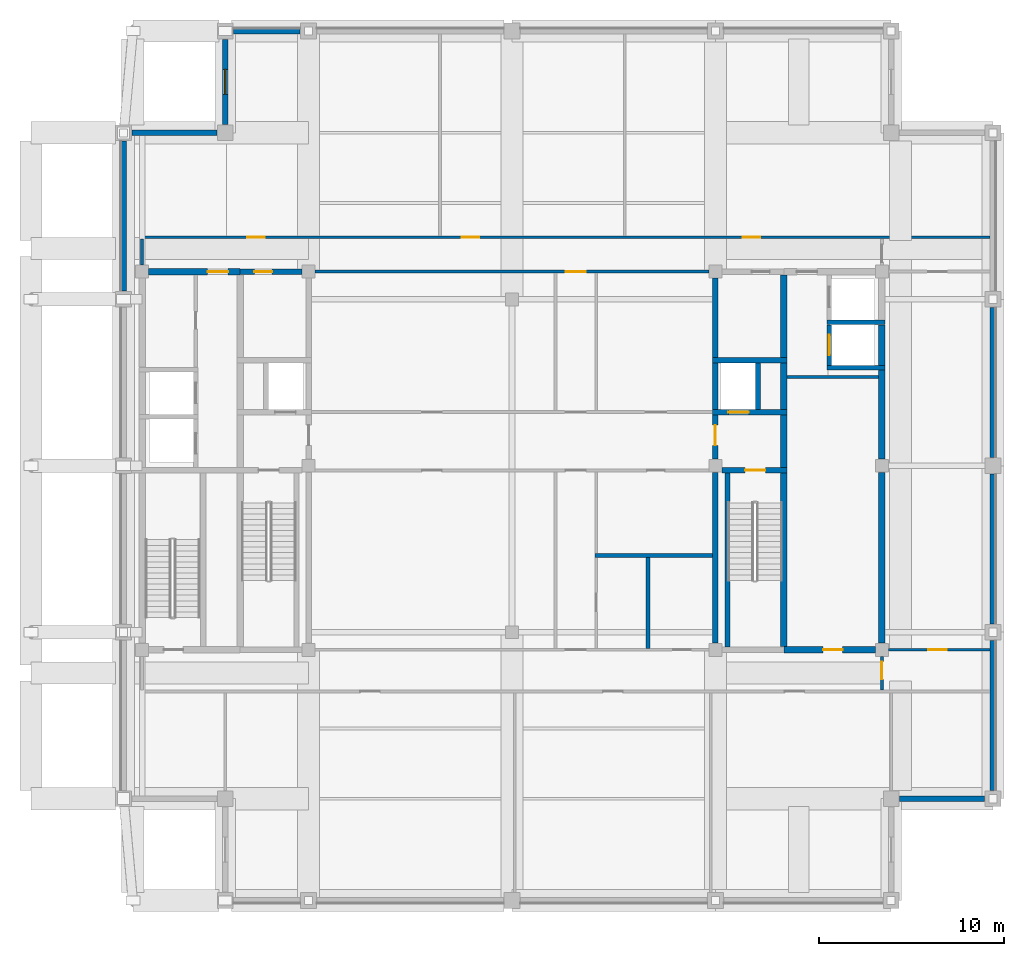
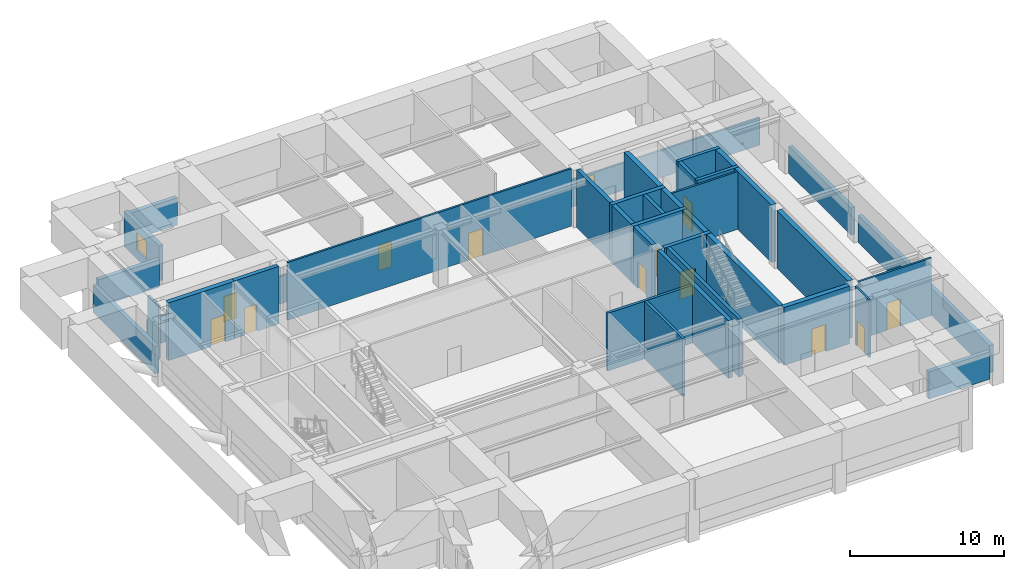
# One storey, part 4 of 11: 38 walls, 13 doors, 1 window, 14 openings.
"""IFC4 building model written with IfcOpenShell, lengths in metres."""

from ifc_helpers import new_model, si_unit, direction, frame, frame_2d, origin, place, context, subcontext, project, spatial, rectangle, extrude, material, layer, layer_set, type_object, element, fill, save


model = new_model("IFC4")

# Units and contexts
model_context = context("Model", 3, precision=1e-05, world=origin(), true_north=direction((0.0, 1.0)))
body_context = subcontext(model_context, "Body", "Model", "MODEL_VIEW")
ifc_project = project(units=[si_unit("LENGTHUNIT", "METRE"), si_unit("AREAUNIT", "SQUARE_METRE"), si_unit("VOLUMEUNIT", "CUBIC_METRE"), si_unit("PLANEANGLEUNIT", "RADIAN"), si_unit("MASSUNIT", "GRAM", prefix="KILO")], contexts=[model_context])

# Site, building, storey
site_placement = place(None, origin())
site = spatial("IfcSite", under=ifc_project, at=site_placement, CompositionType="ELEMENT")
building_placement = place(site_placement, origin())
building = spatial("IfcBuilding", under=site, at=building_placement, Name="Zulmaris Gate Convention Tower", CompositionType="ELEMENT")
storey_placement = place(building_placement, frame((0.0, 0.0, 249.429931640625)))
storey = spatial("IfcBuildingStorey", under=building, at=storey_placement, Name="L66", CompositionType="ELEMENT", Elevation=249.429931640625)

# Walls
ifc_material_1 = material(Name="Concrete C50/60", Category="concrete")
ifc_layer_1 = layer(ifc_material_1, 0.25, Name="Concrete C50/60")
ifc_layer_set_1 = layer_set([ifc_layer_1], Name="Concrete C50/60")
wall_type_1 = type_object("IfcWallType", Name="CORE-250", PredefinedType="SOLIDWALL", material=ifc_layer_set_1)
for number, where, z_axis, x_axis, name in (
    (1, (17.02490234375, 5.300048828125, 0.0), (0.0, 0.0, 1.0), (1.0, 0.0, 0.0), "WL-L66-011"),
    (2, (17.02490234375, 7.75, 0.0), (0.0, 0.0, 1.0), (1.0, 0.0, 0.0), "WL-L66-014"),
):
    element("IfcWall", number, at=place(storey_placement, frame(where, z_axis=z_axis, x_axis=x_axis)), inside=storey, type_object=wall_type_1, Name=name, PredefinedType="SOLIDWALL", context=body_context, shape_type="SweptSolid", body=[
        extrude(rectangle(XDim=3.150146484375, YDim=0.25, at=frame_2d((1.5751953125, 0.0))), origin(), (0.0, 0.0, 1.0), 4.574951171875),
    ])
wall_1_placement = place(storey_placement, frame((11.64990234375, -9.798095703125, 0.0), z_axis=(0.0, 0.0, 1.0), x_axis=(0.0, 1.0, 0.0)))
element("IfcWall", 3, at=wall_1_placement, inside=storey, type_object=wall_type_1, Name="WL-L66-050", PredefinedType="SOLIDWALL", context=body_context, shape_type="SweptSolid", body=[
    extrude(rectangle(XDim=9.39599609375, YDim=0.25, at=frame_2d((4.697998046875, 0.0))), origin(), (0.0, 0.0, 1.0), 4.574951171875),
])
wall_2_placement = place(storey_placement, frame((13.300048828125, 3.052001953125, 0.0), z_axis=(0.0, 0.0, 1.0), x_axis=(0.0, 1.0, 0.0)))
element("IfcWall", 4, at=wall_2_placement, inside=storey, type_object=wall_type_1, Name="WL-L66-051", PredefinedType="SOLIDWALL", context=body_context, shape_type="SweptSolid", body=[
    extrude(rectangle(XDim=2.49609375, YDim=0.25, at=frame_2d((1.248046875, 0.0))), origin(), (0.0, 0.0, 1.0), 4.574951171875),
])

# Wall, opening, door
wall_3_placement = place(storey_placement, frame((17.14990234375, 5.427001953125, 0.0), z_axis=(0.0, 0.0, 1.0), x_axis=(0.0, 1.0, 0.0)))
wall_3 = element("IfcWall", 5, at=wall_3_placement, inside=storey, type_object=wall_type_1, Name="WL-L66-056", PredefinedType="SOLIDWALL", context=body_context, shape_type="SweptSolid", body=[
    extrude(rectangle(XDim=2.196044921875, YDim=0.25, at=frame_2d((1.09814453125, 0.0))), origin(), (0.0, 0.0, 1.0), 4.574951171875),
])
opening_1_placement = place(wall_3_placement, frame((0.548095703125, 0.0, 0.0)))
opening_1 = element("IfcOpeningElement", 6, at=opening_1_placement, cuts=wall_3, Name="Opening D-06", PredefinedType="OPENING", context=body_context, shape_type="SweptSolid", body=[
    extrude(rectangle(XDim=1.10009765625, YDim=2.199951171875, at=frame_2d((0.550048828125, 1.10009765625))), frame((0.0, 0.135009765625, 0.0), z_axis=(0.0, -1.0, 0.0), x_axis=(1.0, 0.0, 0.0)), (0.0, 0.0, 1.0), 0.27001953125),
])
ifc_material_2 = material(Name="Brushed Stainless Steel", Category="steel")
door_type_1 = type_object("IfcDoorType", Name="LD-1100", OperationType="NOTDEFINED", PredefinedType="DOOR", material=ifc_material_2)
door_1_placement = place(opening_1_placement, origin())
door_1 = element("IfcDoor", 7, at=door_1_placement, inside=storey, type_object=door_type_1, Name="L66 Lift Landing Door HP-01 14", OperationType="SLIDING_TO_RIGHT", OverallHeight=2.199951171875, OverallWidth=1.10009765625, PredefinedType="DOOR", context=body_context, shape_type="SweptSolid", body=[
    extrude(rectangle(XDim=1.10009765625, YDim=2.199951171875, at=frame_2d((0.550048828125, 1.10009765625))), frame((0.0, 0.02490234375, 0.0), z_axis=(0.0, -1.0, 0.0), x_axis=(1.0, 0.0, 0.0)), (0.0, 0.0, 1.0), 0.050048828125),
])
fill(opening_1, door_1)

ifc_layer_2 = layer(ifc_material_1, 0.300048828125, Name="Concrete C50/60")
ifc_layer_set_2 = layer_set([ifc_layer_2], Name="Concrete C50/60")
wall_type_2 = type_object("IfcWallType", Name="CORE-300", PredefinedType="SHEAR", material=ifc_layer_set_2)
wall_4_placement = place(storey_placement, frame((11.35400390625, -0.25, 0.0), z_axis=(0.0, 0.0, 1.0), x_axis=(1.0, 0.0, 0.0)))
wall_4 = element("IfcWall", 8, at=wall_4_placement, inside=storey, type_object=wall_type_2, Name="WL-L66-006", PredefinedType="SHEAR", context=body_context, shape_type="SweptSolid", body=[
    extrude(rectangle(XDim=3.52099609375, YDim=0.300048828125, at=frame_2d((1.760498046875, 0.0))), origin(), (0.0, 0.0, 1.0), 4.574951171875),
])
opening_2_placement = place(wall_4_placement, frame((1.24609375, 0.0, 0.0)))
opening_2 = element("IfcOpeningElement", 9, at=opening_2_placement, cuts=wall_4, Name="Opening D-08", PredefinedType="OPENING", context=body_context, shape_type="SweptSolid", body=[
    extrude(rectangle(XDim=1.10009765625, YDim=2.14990234375, at=frame_2d((0.550048828125, 1.074951171875))), frame((0.0, 0.16015625, 0.0), z_axis=(0.0, -1.0, 0.0), x_axis=(1.0, 0.0, 0.0)), (0.0, 0.0, 1.0), 0.320068359375),
])
ifc_material_3 = material(Name="Fire-Rated Steel", Category="steel")
door_type_2 = type_object("IfcDoorType", Name="DR-1100-FD", OperationType="NOTDEFINED", PredefinedType="DOOR", material=ifc_material_3)
door_2_placement = place(opening_2_placement, origin())
door_2 = element("IfcDoor", 10, at=door_2_placement, inside=storey, type_object=door_type_2, Name="L66 Exit Stair ST-2 Door 04", OperationType="SINGLE_SWING_LEFT", OverallHeight=2.14990234375, OverallWidth=1.10009765625, PredefinedType="DOOR", context=body_context, shape_type="SweptSolid", body=[
    extrude(rectangle(XDim=1.10009765625, YDim=2.14990234375, at=frame_2d((0.550048828125, 1.074951171875))), frame((0.0, 0.02490234375, 0.0), z_axis=(0.0, -1.0, 0.0), x_axis=(1.0, 0.0, 0.0)), (0.0, 0.0, 1.0), 0.050048828125),
])
fill(opening_2, door_2)

wall_5_placement = place(storey_placement, frame((10.85009765625, 2.89990234375, 0.0), z_axis=(0.0, 0.0, 1.0), x_axis=(1.0, 0.0, 0.0)))
wall_5 = element("IfcWall", 11, at=wall_5_placement, inside=storey, type_object=wall_type_2, Name="WL-L66-009", PredefinedType="SHEAR", context=body_context, shape_type="SweptSolid", body=[
    extrude(rectangle(XDim=4.02490234375, YDim=0.300048828125, at=frame_2d((2.012451171875, 0.0))), origin(), (0.0, 0.0, 1.0), 4.574951171875),
])
opening_3_placement = place(wall_5_placement, frame((0.85009765625, 0.0, 0.0)))
opening_3 = element("IfcOpeningElement", 12, at=opening_3_placement, cuts=wall_5, Name="Opening D-06", PredefinedType="OPENING", context=body_context, shape_type="SweptSolid", body=[
    extrude(rectangle(XDim=1.10009765625, YDim=2.199951171875, at=frame_2d((0.550048828125, 1.10009765625))), frame((0.0, 0.16015625, 0.0), z_axis=(0.0, -1.0, 0.0), x_axis=(1.0, 0.0, 0.0)), (0.0, 0.0, 1.0), 0.320068359375),
])
door_3_placement = place(opening_3_placement, origin())
door_3 = element("IfcDoor", 13, at=door_3_placement, inside=storey, type_object=door_type_1, Name="L66 Lift Landing Door LF-02 06", OperationType="SLIDING_TO_RIGHT", OverallHeight=2.199951171875, OverallWidth=1.10009765625, PredefinedType="DOOR", context=body_context, shape_type="SweptSolid", body=[
    extrude(rectangle(XDim=1.10009765625, YDim=2.199951171875, at=frame_2d((0.550048828125, 1.10009765625))), frame((0.0, 0.02490234375, 0.0), z_axis=(0.0, -1.0, 0.0), x_axis=(1.0, 0.0, 0.0)), (0.0, 0.0, 1.0), 0.050048828125),
])
fill(opening_3, door_3)

# Wall
wall_6_placement = place(storey_placement, frame((10.85009765625, 5.699951171875, 0.0), z_axis=(0.0, 0.0, 1.0), x_axis=(1.0, 0.0, 0.0)))
element("IfcWall", 14, at=wall_6_placement, inside=storey, type_object=wall_type_2, Name="WL-L66-013", PredefinedType="SHEAR", context=body_context, shape_type="SweptSolid", body=[
    extrude(rectangle(XDim=4.02490234375, YDim=0.300048828125, at=frame_2d((2.012451171875, 0.0))), origin(), (0.0, 0.0, 1.0), 4.574951171875),
])

# Wall, opening, door
wall_7_placement = place(storey_placement, frame((-14.699951171875, 10.5, 0.0), z_axis=(0.0, 0.0, 1.0), x_axis=(1.0, 0.0, 0.0)))
wall_7 = element("IfcWall", 15, at=wall_7_placement, inside=storey, type_object=wall_type_2, Name="WL-L66-016", PredefinedType="SHEAR", context=body_context, shape_type="SweptSolid", body=[
    extrude(rectangle(XDim=3.345947265625, YDim=0.300048828125, at=frame_2d((1.6728515625, 0.0))), origin(), (0.0, 0.0, 1.0), 4.574951171875),
])
opening_4_placement = place(wall_7_placement, frame((0.77490234375, 0.0, 0.0)))
opening_4 = element("IfcOpeningElement", 16, at=opening_4_placement, cuts=wall_7, Name="Opening D-11", PredefinedType="OPENING", context=body_context, shape_type="SweptSolid", body=[
    extrude(rectangle(XDim=0.949951171875, YDim=2.14990234375, at=frame_2d((0.47509765625, 1.074951171875))), frame((0.0, 0.16015625, 0.0), z_axis=(0.0, -1.0, 0.0), x_axis=(1.0, 0.0, 0.0)), (0.0, 0.0, 1.0), 0.320068359375),
])
ifc_material_4 = material(Name="Fire-Rated Timber", Category="wood")
door_type_3 = type_object("IfcDoorType", Name="DR-950-FD", OperationType="NOTDEFINED", PredefinedType="DOOR", material=ifc_material_4)
door_4_placement = place(opening_4_placement, origin())
door_4 = element("IfcDoor", 17, at=door_4_placement, inside=storey, type_object=door_type_3, Name="L66 Core Pantry Door 07", OperationType="SINGLE_SWING_LEFT", OverallHeight=2.14990234375, OverallWidth=0.949951171875, PredefinedType="DOOR", context=body_context, shape_type="SweptSolid", body=[
    extrude(rectangle(XDim=0.949951171875, YDim=2.14990234375, at=frame_2d((0.47509765625, 1.074951171875))), frame((0.0, 0.02490234375, 0.0), z_axis=(0.0, -1.0, 0.0), x_axis=(1.0, 0.0, 0.0)), (0.0, 0.0, 1.0), 0.050048828125),
])
fill(opening_4, door_4)

# Wall
wall_8_placement = place(storey_placement, frame((11.0, -9.595947265625, 0.0), z_axis=(0.0, 0.0, 1.0), x_axis=(0.0, 1.0, 0.0)))
element("IfcWall", 18, at=wall_8_placement, inside=storey, type_object=wall_type_2, Name="WL-L66-046", PredefinedType="SHEAR", context=body_context, shape_type="SweptSolid", body=[
    extrude(rectangle(XDim=9.241943359375, YDim=0.300048828125, at=frame_2d((4.62109375, 0.0))), origin(), (0.0, 0.0, 1.0), 4.574951171875),
])

# Wall, opening, door
wall_9_placement = place(storey_placement, frame((11.0, 0.35400390625, 0.0), z_axis=(0.0, 0.0, 1.0), x_axis=(0.0, 1.0, 0.0)))
wall_9 = element("IfcWall", 19, at=wall_9_placement, inside=storey, type_object=wall_type_2, Name="WL-L66-047", PredefinedType="SHEAR", context=body_context, shape_type="SweptSolid", body=[
    extrude(rectangle(XDim=2.39404296875, YDim=0.300048828125, at=frame_2d((1.197021484375, 0.0))), origin(), (0.0, 0.0, 1.0), 4.574951171875),
])
opening_5_placement = place(wall_9_placement, frame((0.74609375, 0.0, 0.0)))
opening_5 = element("IfcOpeningElement", 20, at=opening_5_placement, cuts=wall_9, Name="Opening D-08", PredefinedType="OPENING", context=body_context, shape_type="SweptSolid", body=[
    extrude(rectangle(XDim=1.10009765625, YDim=2.14990234375, at=frame_2d((0.550048828125, 1.074951171875))), frame((0.0, 0.16015625, 0.0), z_axis=(0.0, -1.0, 0.0), x_axis=(1.0, 0.0, 0.0)), (0.0, 0.0, 1.0), 0.320068359375),
])
door_5_placement = place(opening_5_placement, origin())
door_5 = element("IfcDoor", 21, at=door_5_placement, inside=storey, type_object=door_type_2, Name="L66 East Firefighting Lobby Door 05", OperationType="SINGLE_SWING_RIGHT", OverallHeight=2.14990234375, OverallWidth=1.10009765625, PredefinedType="DOOR", context=body_context, shape_type="SweptSolid", body=[
    extrude(rectangle(XDim=1.10009765625, YDim=2.14990234375, at=frame_2d((0.550048828125, 1.074951171875))), frame((0.0, 0.02490234375, 0.0), z_axis=(0.0, -1.0, 0.0), x_axis=(1.0, 0.0, 0.0)), (0.0, 0.0, 1.0), 0.050048828125),
])
fill(opening_5, door_5)

# Walls
wall_10_placement = place(storey_placement, frame((11.0, 3.052001953125, 0.0), z_axis=(0.0, 0.0, 1.0), x_axis=(0.0, 1.0, 0.0)))
element("IfcWall", 22, at=wall_10_placement, inside=storey, type_object=wall_type_2, Name="WL-L66-048", PredefinedType="SHEAR", context=body_context, shape_type="SweptSolid", body=[
    extrude(rectangle(XDim=2.49609375, YDim=0.300048828125, at=frame_2d((1.248046875, 0.0))), origin(), (0.0, 0.0, 1.0), 4.574951171875),
])
wall_11_placement = place(storey_placement, frame((11.0, 5.85205078125, 0.0), z_axis=(0.0, 0.0, 1.0), x_axis=(0.0, 1.0, 0.0)))
element("IfcWall", 23, at=wall_11_placement, inside=storey, type_object=wall_type_2, Name="WL-L66-049", PredefinedType="SHEAR", context=body_context, shape_type="SweptSolid", body=[
    extrude(rectangle(XDim=4.2939453125, YDim=0.300048828125, at=frame_2d((2.14697265625, 0.0))), origin(), (0.0, 0.0, 1.0), 4.574951171875),
])

# Wall, opening, door
ifc_material_5 = material(Name="Concrete C55/67", Category="concrete")
ifc_layer_3 = layer(ifc_material_5, 0.35009765625, Name="Concrete C55/67")
ifc_layer_set_3 = layer_set([ifc_layer_3], Name="Concrete C55/67")
wall_type_3 = type_object("IfcWallType", Name="CORE-350", PredefinedType="SHEAR", material=ifc_layer_set_3)
wall_12_placement = place(storey_placement, frame((14.699951171875, -9.949951171875, 0.0), z_axis=(0.0, 0.0, 1.0), x_axis=(1.0, 0.0, 0.0)))
wall_12 = element("IfcWall", 24, at=wall_12_placement, inside=storey, type_object=wall_type_3, Name="WL-L66-004", PredefinedType="SHEAR", context=body_context, shape_type="SweptSolid", body=[
    extrude(rectangle(XDim=4.946044921875, YDim=0.35009765625, at=frame_2d((2.47314453125, 0.0))), origin(), (0.0, 0.0, 1.0), 4.574951171875),
])
opening_6_placement = place(wall_12_placement, frame((2.125, 0.0, 0.0)))
opening_6 = element("IfcOpeningElement", 25, at=opening_6_placement, cuts=wall_12, Name="Opening D-09", PredefinedType="OPENING", context=body_context, shape_type="SweptSolid", body=[
    extrude(rectangle(XDim=1.050048828125, YDim=2.14990234375, at=frame_2d((0.52490234375, 1.074951171875))), frame((0.0, 0.18505859375, 0.0), z_axis=(0.0, -1.0, 0.0), x_axis=(1.0, 0.0, 0.0)), (0.0, 0.0, 1.0), 0.3701171875),
])
door_type_4 = type_object("IfcDoorType", Name="DR-1050-FD", OperationType="NOTDEFINED", PredefinedType="DOOR", material=ifc_material_3)
door_6_placement = place(opening_6_placement, origin())
door_6 = element("IfcDoor", 26, at=door_6_placement, inside=storey, type_object=door_type_4, Name="L66 Housekeeping Hall Door 17", OperationType="SINGLE_SWING_LEFT", OverallHeight=2.14990234375, OverallWidth=1.050048828125, PredefinedType="DOOR", context=body_context, shape_type="SweptSolid", body=[
    extrude(rectangle(XDim=1.050048828125, YDim=2.14990234375, at=frame_2d((0.52490234375, 1.074951171875))), frame((0.0, 0.02490234375, 0.0), z_axis=(0.0, -1.0, 0.0), x_axis=(1.0, 0.0, 0.0)), (0.0, 0.0, 1.0), 0.050048828125),
])
fill(opening_6, door_6)

wall_13_placement = place(storey_placement, frame((-19.64599609375, 10.5, 0.0), z_axis=(0.0, 0.0, 1.0), x_axis=(1.0, 0.0, 0.0)))
wall_13 = element("IfcWall", 27, at=wall_13_placement, inside=storey, type_object=wall_type_3, Name="WL-L66-015", PredefinedType="SHEAR", context=body_context, shape_type="SweptSolid", body=[
    extrude(rectangle(XDim=4.946044921875, YDim=0.35009765625, at=frame_2d((2.47314453125, 0.0))), origin(), (0.0, 0.0, 1.0), 4.574951171875),
])
opening_7_placement = place(wall_13_placement, frame((3.196044921875, 0.0, 0.0)))
opening_7 = element("IfcOpeningElement", 28, at=opening_7_placement, cuts=wall_13, Name="Opening D-08", PredefinedType="OPENING", context=body_context, shape_type="SweptSolid", body=[
    extrude(rectangle(XDim=1.10009765625, YDim=2.14990234375, at=frame_2d((0.550048828125, 1.074951171875))), frame((0.0, 0.18505859375, 0.0), z_axis=(0.0, -1.0, 0.0), x_axis=(1.0, 0.0, 0.0)), (0.0, 0.0, 1.0), 0.3701171875),
])
door_7_placement = place(opening_7_placement, origin())
door_7 = element("IfcDoor", 29, at=door_7_placement, inside=storey, type_object=door_type_2, Name="L66 High-Rise West Lift Lobby Door 12", OperationType="SINGLE_SWING_RIGHT", OverallHeight=2.14990234375, OverallWidth=1.10009765625, PredefinedType="DOOR", context=body_context, shape_type="SweptSolid", body=[
    extrude(rectangle(XDim=1.10009765625, YDim=2.14990234375, at=frame_2d((0.550048828125, 1.074951171875))), frame((0.0, 0.02490234375, 0.0), z_axis=(0.0, -1.0, 0.0), x_axis=(1.0, 0.0, 0.0)), (0.0, 0.0, 1.0), 0.050048828125),
])
fill(opening_7, door_7)

# Walls
wall_14_placement = place(storey_placement, frame((14.699951171875, -9.77294921875, 0.0), z_axis=(0.0, 0.0, 1.0), x_axis=(0.0, 1.0, 0.0)))
element("IfcWall", 30, at=wall_14_placement, inside=storey, type_object=wall_type_3, Name="WL-L66-052", PredefinedType="SHEAR", context=body_context, shape_type="SweptSolid", body=[
    extrude(rectangle(XDim=9.370849609375, YDim=0.35009765625, at=frame_2d((4.685546875, 0.0))), origin(), (0.0, 0.0, 1.0), 4.574951171875),
])
wall_15_placement = place(storey_placement, frame((14.699951171875, -0.097900390625, 0.0), z_axis=(0.0, 0.0, 1.0), x_axis=(0.0, 1.0, 0.0)))
element("IfcWall", 31, at=wall_15_placement, inside=storey, type_object=wall_type_3, Name="WL-L66-053", PredefinedType="SHEAR", context=body_context, shape_type="SweptSolid", body=[
    extrude(rectangle(XDim=2.845947265625, YDim=0.35009765625, at=frame_2d((1.4228515625, 0.0))), origin(), (0.0, 0.0, 1.0), 4.574951171875),
])
wall_16_placement = place(storey_placement, frame((14.699951171875, 3.052001953125, 0.0), z_axis=(0.0, 0.0, 1.0), x_axis=(0.0, 1.0, 0.0)))
element("IfcWall", 32, at=wall_16_placement, inside=storey, type_object=wall_type_3, Name="WL-L66-054", PredefinedType="SHEAR", context=body_context, shape_type="SweptSolid", body=[
    extrude(rectangle(XDim=2.49609375, YDim=0.35009765625, at=frame_2d((1.248046875, 0.0))), origin(), (0.0, 0.0, 1.0), 4.574951171875),
])
wall_17_placement = place(storey_placement, frame((14.699951171875, 5.85205078125, 0.0), z_axis=(0.0, 0.0, 1.0), x_axis=(0.0, 1.0, 0.0)))
element("IfcWall", 33, at=wall_17_placement, inside=storey, type_object=wall_type_3, Name="WL-L66-055", PredefinedType="SHEAR", context=body_context, shape_type="SweptSolid", body=[
    extrude(rectangle(XDim=4.470947265625, YDim=0.35009765625, at=frame_2d((2.2353515625, 0.0))), origin(), (0.0, 0.0, 1.0), 4.574951171875),
])
wall_18_placement = place(storey_placement, frame((20.0, -9.595947265625, 0.0), z_axis=(0.0, 0.0, 1.0), x_axis=(0.0, 1.0, 0.0)))
element("IfcWall", 34, at=wall_18_placement, inside=storey, type_object=wall_type_3, Name="WL-L66-058", PredefinedType="SHEAR", context=body_context, shape_type="SweptSolid", body=[
    extrude(rectangle(XDim=9.241943359375, YDim=0.35009765625, at=frame_2d((4.62109375, 0.0))), origin(), (0.0, 0.0, 1.0), 4.574951171875),
])
wall_19_placement = place(storey_placement, frame((20.0, 0.35400390625, 0.0), z_axis=(0.0, 0.0, 1.0), x_axis=(0.0, 1.0, 0.0)))
element("IfcWall", 35, at=wall_19_placement, inside=storey, type_object=wall_type_3, Name="WL-L66-058S1", PredefinedType="SHEAR", context=body_context, shape_type="SweptSolid", body=[
    extrude(rectangle(XDim=4.819091796875, YDim=0.35009765625, at=frame_2d((2.40966796875, 0.0))), origin(), (0.0, 0.0, 1.0), 4.574951171875),
])
wall_20_placement = place(storey_placement, frame((20.0, 5.427001953125, 0.0), z_axis=(0.0, 0.0, 1.0), x_axis=(0.0, 1.0, 0.0)))
element("IfcWall", 36, at=wall_20_placement, inside=storey, type_object=wall_type_3, Name="WL-L66-059", PredefinedType="SHEAR", context=body_context, shape_type="SweptSolid", body=[
    extrude(rectangle(XDim=2.196044921875, YDim=0.35009765625, at=frame_2d((1.09814453125, 0.0))), origin(), (0.0, 0.0, 1.0), 4.574951171875),
])

# Wall, opening, door
ifc_material_6 = material(Name="Gypsum Metal Stud Partition")
ifc_layer_4 = layer(ifc_material_6, 0.14990234375, Name="Gypsum Metal Stud Partition")
ifc_layer_set_4 = layer_set([ifc_layer_4], Name="Gypsum Metal Stud Partition")
wall_type_4 = type_object("IfcWallType", Name="PART-150", PredefinedType="PARTITIONING", material=ifc_layer_set_4)
wall_21_placement = place(storey_placement, frame((20.35595703125, -9.949951171875, 0.0), z_axis=(0.0, 0.0, 1.0), x_axis=(1.0, 0.0, 0.0)))
wall_21 = element("IfcWall", 37, at=wall_21_placement, inside=storey, type_object=wall_type_4, Name="WL-L66-021", PredefinedType="PARTITIONING", context=body_context, shape_type="SweptSolid", body=[
    extrude(rectangle(XDim=5.47900390625, YDim=0.14990234375, at=frame_2d((2.739501953125, 0.0))), origin(), (0.0, 0.0, 1.0), 4.574951171875),
])
opening_8_placement = place(wall_21_placement, frame((2.14404296875, 0.0, 0.0)))
opening_8 = element("IfcOpeningElement", 38, at=opening_8_placement, cuts=wall_21, Name="Opening D-10", PredefinedType="OPENING", context=body_context, shape_type="SweptSolid", body=[
    extrude(rectangle(XDim=1.0, YDim=2.14990234375, at=frame_2d((0.5, 1.074951171875))), frame((0.0, 0.0849609375, 0.0), z_axis=(0.0, -1.0, 0.0), x_axis=(1.0, 0.0, 0.0)), (0.0, 0.0, 1.0), 0.169921875),
])
door_type_5 = type_object("IfcDoorType", Name="DR-1000-FD", OperationType="NOTDEFINED", PredefinedType="DOOR", material=ifc_material_4)
door_8_placement = place(opening_8_placement, origin())
door_8 = element("IfcDoor", 39, at=door_8_placement, inside=storey, type_object=door_type_5, Name="L66 East Workplace South Door 37", OperationType="SINGLE_SWING_LEFT", OverallHeight=2.14990234375, OverallWidth=1.0, PredefinedType="DOOR", context=body_context, shape_type="SweptSolid", body=[
    extrude(rectangle(XDim=1.0, YDim=2.14990234375, at=frame_2d((0.5, 1.074951171875))), frame((0.0, 0.02490234375, 0.0), z_axis=(0.0, -1.0, 0.0), x_axis=(1.0, 0.0, 0.0)), (0.0, 0.0, 1.0), 0.050048828125),
])
fill(opening_8, door_8)

# Wall
wall_22_placement = place(storey_placement, frame((14.8779296875, 4.800048828125, 0.0), z_axis=(0.0, 0.0, 1.0), x_axis=(1.0, 0.0, 0.0)))
element("IfcWall", 40, at=wall_22_placement, inside=storey, type_object=wall_type_4, Name="WL-L66-025", PredefinedType="PARTITIONING", context=body_context, shape_type="SweptSolid", body=[
    extrude(rectangle(XDim=4.944091796875, YDim=0.14990234375, at=frame_2d((2.47216796875, 0.0))), origin(), (0.0, 0.0, 1.0), 4.574951171875),
])

# Wall, opening, door
wall_23_placement = place(storey_placement, frame((-10.64404296875, 10.5, 0.0), z_axis=(0.0, 0.0, 1.0), x_axis=(1.0, 0.0, 0.0)))
wall_23 = element("IfcWall", 41, at=wall_23_placement, inside=storey, type_object=wall_type_4, Name="WL-L66-026", PredefinedType="PARTITIONING", context=body_context, shape_type="SweptSolid", body=[
    extrude(rectangle(XDim=21.2880859375, YDim=0.14990234375, at=frame_2d((10.64404296875, 0.0))), origin(), (0.0, 0.0, 1.0), 4.574951171875),
])
opening_9_placement = place(wall_23_placement, frame((13.5439453125, 0.0, 0.0)))
opening_9 = element("IfcOpeningElement", 42, at=opening_9_placement, cuts=wall_23, Name="Opening D-08", PredefinedType="OPENING", context=body_context, shape_type="SweptSolid", body=[
    extrude(rectangle(XDim=1.10009765625, YDim=2.14990234375, at=frame_2d((0.550048828125, 1.074951171875))), frame((0.0, 0.0849609375, 0.0), z_axis=(0.0, -1.0, 0.0), x_axis=(1.0, 0.0, 0.0)), (0.0, 0.0, 1.0), 0.169921875),
])
door_9_placement = place(opening_9_placement, origin())
door_9 = element("IfcDoor", 43, at=door_9_placement, inside=storey, type_object=door_type_2, Name="L66 Exec North Link Door 18", OperationType="SINGLE_SWING_RIGHT", OverallHeight=2.14990234375, OverallWidth=1.10009765625, PredefinedType="DOOR", context=body_context, shape_type="SweptSolid", body=[
    extrude(rectangle(XDim=1.10009765625, YDim=2.14990234375, at=frame_2d((0.550048828125, 1.074951171875))), frame((0.0, 0.02490234375, 0.0), z_axis=(0.0, -1.0, 0.0), x_axis=(1.0, 0.0, 0.0)), (0.0, 0.0, 1.0), 0.050048828125),
])
fill(opening_9, door_9)

# Wall, openings, doors
wall_24_placement = place(storey_placement, frame((-20.074951171875, 12.35009765625, 0.0), z_axis=(0.0, 0.0, 1.0), x_axis=(1.0, 0.0, 0.0)))
wall_24 = element("IfcWall", 44, at=wall_24_placement, inside=storey, type_object=wall_type_4, Name="WL-L66-028", PredefinedType="PARTITIONING", context=body_context, shape_type="SweptSolid", body=[
    extrude(rectangle(XDim=45.909912109375, YDim=0.14990234375, at=frame_2d((22.955078125, 0.0))), origin(), (0.0, 0.0, 1.0), 2.1669921875),
])
opening_10_placement = place(wall_24_placement, frame((5.75, 0.0, 0.0)))
opening_10 = element("IfcOpeningElement", 45, at=opening_10_placement, cuts=wall_24, Name="Opening D-25", PredefinedType="OPENING", context=body_context, shape_type="SweptSolid", body=[
    extrude(rectangle(XDim=0.949951171875, YDim=2.02001953125, at=frame_2d((0.47509765625, 1.010009765625))), frame((0.0, 0.0849609375, 0.0), z_axis=(0.0, -1.0, 0.0), x_axis=(1.0, 0.0, 0.0)), (0.0, 0.0, 1.0), 0.169921875),
])
opening_11_placement = place(wall_24_placement, frame((17.35009765625, 0.0, 0.0)))
opening_11 = element("IfcOpeningElement", 46, at=opening_11_placement, cuts=wall_24, Name="Opening D-25", PredefinedType="OPENING", context=body_context, shape_type="SweptSolid", body=[
    extrude(rectangle(XDim=0.949951171875, YDim=2.02001953125, at=frame_2d((0.47509765625, 1.010009765625))), frame((0.0, 0.0849609375, 0.0), z_axis=(0.0, -1.0, 0.0), x_axis=(1.0, 0.0, 0.0)), (0.0, 0.0, 1.0), 0.169921875),
])
opening_12_placement = place(wall_24_placement, frame((32.550048828125, 0.0, 0.0)))
opening_12 = element("IfcOpeningElement", 47, at=opening_12_placement, cuts=wall_24, Name="Opening D-25", PredefinedType="OPENING", context=body_context, shape_type="SweptSolid", body=[
    extrude(rectangle(XDim=0.949951171875, YDim=2.02001953125, at=frame_2d((0.47509765625, 1.010009765625))), frame((0.0, 0.0849609375, 0.0), z_axis=(0.0, -1.0, 0.0), x_axis=(1.0, 0.0, 0.0)), (0.0, 0.0, 1.0), 0.169921875),
])
door_type_6 = type_object("IfcDoorType", Name="DR-950-LOW-FD", OperationType="NOTDEFINED", PredefinedType="DOOR", material=ifc_material_3)
door_10_placement = place(opening_10_placement, origin())
door_10 = element("IfcDoor", 48, at=door_10_placement, inside=storey, type_object=door_type_6, Name="L66 Partner Corner Office Door 22", OperationType="SINGLE_SWING_RIGHT", OverallHeight=2.02001953125, OverallWidth=0.949951171875, PredefinedType="DOOR", context=body_context, shape_type="SweptSolid", body=[
    extrude(rectangle(XDim=0.949951171875, YDim=2.02001953125, at=frame_2d((0.47509765625, 1.010009765625))), frame((0.0, 0.02490234375, 0.0), z_axis=(0.0, -1.0, 0.0), x_axis=(1.0, 0.0, 0.0)), (0.0, 0.0, 1.0), 0.050048828125),
])
fill(opening_10, door_10)
door_11_placement = place(opening_11_placement, origin())
door_11 = element("IfcDoor", 49, at=door_11_placement, inside=storey, type_object=door_type_6, Name="L66 Advisory Suite Office Door 23", OperationType="SINGLE_SWING_LEFT", OverallHeight=2.02001953125, OverallWidth=0.949951171875, PredefinedType="DOOR", context=body_context, shape_type="SweptSolid", body=[
    extrude(rectangle(XDim=0.949951171875, YDim=2.02001953125, at=frame_2d((0.47509765625, 1.010009765625))), frame((0.0, 0.02490234375, 0.0), z_axis=(0.0, -1.0, 0.0), x_axis=(1.0, 0.0, 0.0)), (0.0, 0.0, 1.0), 0.050048828125),
])
fill(opening_11, door_11)
door_12_placement = place(opening_12_placement, origin())
door_12 = element("IfcDoor", 50, at=door_12_placement, inside=storey, type_object=door_type_6, Name="L66 Open Plan Workplace Door 24", OperationType="SINGLE_SWING_RIGHT", OverallHeight=2.02001953125, OverallWidth=0.949951171875, PredefinedType="DOOR", context=body_context, shape_type="SweptSolid", body=[
    extrude(rectangle(XDim=0.949951171875, YDim=2.02001953125, at=frame_2d((0.47509765625, 1.010009765625))), frame((0.0, 0.02490234375, 0.0), z_axis=(0.0, -1.0, 0.0), x_axis=(1.0, 0.0, 0.0)), (0.0, 0.0, 1.0), 0.050048828125),
])
fill(opening_12, door_12)

# Wall
wall_25_placement = place(storey_placement, frame((-20.0, 10.85595703125, 0.0), z_axis=(0.0, 0.0, 1.0), x_axis=(0.0, 1.0, 0.0)))
element("IfcWall", 51, at=wall_25_placement, inside=storey, type_object=wall_type_4, Name="WL-L66-062", PredefinedType="PARTITIONING", context=body_context, shape_type="SweptSolid", body=[
    extrude(rectangle(XDim=1.416015625, YDim=0.14990234375, at=frame_2d((0.7080078125, 0.0))), origin(), (0.0, 0.0, 1.0), 4.1650390625),
])

# Wall, opening, door
wall_26_placement = place(storey_placement, frame((20.0, -12.1220703125, 0.0), z_axis=(0.0, 0.0, 1.0), x_axis=(0.0, 1.0, 0.0)))
wall_26 = element("IfcWall", 52, at=wall_26_placement, inside=storey, type_object=wall_type_4, Name="WL-L66-075", PredefinedType="PARTITIONING", context=body_context, shape_type="SweptSolid", body=[
    extrude(rectangle(XDim=1.816162109375, YDim=0.14990234375, at=frame_2d((0.908203125, 0.0))), origin(), (0.0, 0.0, 1.0), 4.574951171875),
])
opening_13_placement = place(wall_26_placement, frame((0.576904296875, 0.0, 0.0)))
opening_13 = element("IfcOpeningElement", 53, at=opening_13_placement, cuts=wall_26, Name="Opening D-25", PredefinedType="OPENING", context=body_context, shape_type="SweptSolid", body=[
    extrude(rectangle(XDim=0.949951171875, YDim=2.02001953125, at=frame_2d((0.47509765625, 1.010009765625))), frame((0.0, 0.0849609375, 0.0), z_axis=(0.0, -1.0, 0.0), x_axis=(1.0, 0.0, 0.0)), (0.0, 0.0, 1.0), 0.169921875),
])
door_13_placement = place(opening_13_placement, origin())
door_13 = element("IfcDoor", 54, at=door_13_placement, inside=storey, type_object=door_type_6, Name="L66 SE Spur Door 35", OperationType="SINGLE_SWING_LEFT", OverallHeight=2.02001953125, OverallWidth=0.949951171875, PredefinedType="DOOR", context=body_context, shape_type="SweptSolid", body=[
    extrude(rectangle(XDim=0.949951171875, YDim=2.02001953125, at=frame_2d((0.47509765625, 1.010009765625))), frame((0.0, 0.02490234375, 0.0), z_axis=(0.0, -1.0, 0.0), x_axis=(1.0, 0.0, 0.0)), (0.0, 0.0, 1.0), 0.050048828125),
])
fill(opening_13, door_13)

# Walls
ifc_material_7 = material(Name="Autoclaved Aerated Concrete Block and Plasterboard", Category="concrete")
ifc_layer_5 = layer(ifc_material_7, 0.199951171875, Name="Autoclaved Aerated Concrete Block and Plasterboard")
ifc_layer_set_5 = layer_set([ifc_layer_5], Name="Autoclaved Aerated Concrete Block and Plasterboard")
wall_type_5 = type_object("IfcWallType", Name="PART-200", PredefinedType="PARTITIONING", material=ifc_layer_set_5)
wall_27_placement = place(storey_placement, frame((4.47509765625, -4.85009765625, 0.0), z_axis=(0.0, 0.0, 1.0), x_axis=(1.0, 0.0, 0.0)))
element("IfcWall", 55, at=wall_27_placement, inside=storey, type_object=wall_type_5, Name="WL-L66-022", PredefinedType="PARTITIONING", context=body_context, shape_type="SweptSolid", body=[
    extrude(rectangle(XDim=6.371826171875, YDim=0.199951171875, at=frame_2d((3.18603515625, 0.0))), origin(), (0.0, 0.0, 1.0), 4.574951171875),
])
wall_28_placement = place(storey_placement, frame((7.35009765625, -9.8720703125, 0.0), z_axis=(0.0, 0.0, 1.0), x_axis=(0.0, 1.0, 0.0)))
element("IfcWall", 56, at=wall_28_placement, inside=storey, type_object=wall_type_5, Name="WL-L66-073", PredefinedType="PARTITIONING", context=body_context, shape_type="SweptSolid", body=[
    extrude(rectangle(XDim=4.919189453125, YDim=0.199951171875, at=frame_2d((2.45947265625, 0.0))), origin(), (0.0, 0.0, 1.0), 4.574951171875),
])
ifc_material_8 = material(Name="Precast concrete C40/50", Category="concrete")
ifc_layer_6 = layer(ifc_material_8, 0.300048828125, Name="Precast concrete C40/50")
ifc_layer_set_6 = layer_set([ifc_layer_6], Name="Precast concrete C40/50")
wall_type_6 = type_object("IfcWallType", Name="PRECAST-PIER-300", PredefinedType="STANDARD", material=ifc_layer_set_6)
wall_29_placement = place(storey_placement, frame((20.955078125, -18.0, 0.0), z_axis=(0.0, 0.0, 1.0), x_axis=(1.0, 0.0, 0.0)))
element("IfcWall", 57, at=wall_29_placement, inside=storey, type_object=wall_type_6, Name="EW-L66-NOTCH-SE2_0", PredefinedType="STANDARD", context=body_context, shape_type="SweptSolid", body=[
    extrude(rectangle(XDim=4.58984375, YDim=0.300048828125, at=frame_2d((2.294921875, 0.0))), origin(), (0.0, 0.0, 1.0), 2.1669921875),
])

# Wall, opening, window
wall_30_placement = place(storey_placement, frame((-15.5, 23.044921875, 0.0), z_axis=(0.0, 0.0, 1.0), x_axis=(0.0, -1.0, 0.0)))
wall_30 = element("IfcWall", 58, at=wall_30_placement, inside=storey, type_object=wall_type_6, Name="EW-L66-NOTCH-NW1_0", PredefinedType="STANDARD", context=body_context, shape_type="SweptSolid", body=[
    extrude(rectangle(XDim=4.58984375, YDim=0.300048828125, at=frame_2d((2.294921875, 0.0))), origin(), (0.0, 0.0, 1.0), 2.76708984375),
])
opening_14_placement = place(wall_30_placement, frame((1.6201171875, 0.0, 0.679931640625)))
opening_14 = element("IfcOpeningElement", 59, at=opening_14_placement, cuts=wall_30, Name="Opening W-10", PredefinedType="OPENING", context=body_context, shape_type="SweptSolid", body=[
    extrude(rectangle(XDim=1.35009765625, YDim=1.419921875, at=frame_2d((0.675048828125, 0.7099609375))), frame((0.0, 0.16015625, 0.0), z_axis=(0.0, -1.0, 0.0), x_axis=(1.0, 0.0, 0.0)), (0.0, 0.0, 1.0), 0.320068359375),
])
ifc_material_9 = material(Name="Low-E Laminated Double Glazing in Aluminium Frame", Category="aluminium")
window_type = type_object("IfcWindowType", Name="WIN-1350x2000", PartitioningType="SINGLE_PANEL", PredefinedType="WINDOW", material=ifc_material_9)
window_placement = place(opening_14_placement, origin())
window = element("IfcWindow", 60, at=window_placement, inside=storey, type_object=window_type, Name="WN-EW-L66-NOTCH-NW1_0", OverallHeight=1.419921875, OverallWidth=1.35009765625, PartitioningType="SINGLE_PANEL", PredefinedType="WINDOW", context=body_context, shape_type="SweptSolid", body=[
    extrude(rectangle(XDim=1.35009765625, YDim=1.419921875, at=frame_2d((0.675048828125, 0.7099609375))), frame((0.0, 0.030029296875, 0.0), z_axis=(0.0, -1.0, 0.0), x_axis=(1.0, 0.0, 0.0)), (0.0, 0.0, 1.0), 0.06005859375),
])
fill(opening_14, window)

# Walls
wall_31_placement = place(storey_placement, frame((-15.955078125, 18.0, 0.0), z_axis=(0.0, 0.0, 1.0), x_axis=(-1.0, 0.0, 0.0)))
element("IfcWall", 61, at=wall_31_placement, inside=storey, type_object=wall_type_6, Name="EW-L66-NOTCH-NW2_0", PredefinedType="STANDARD", context=body_context, shape_type="SweptSolid", body=[
    extrude(rectangle(XDim=4.58984375, YDim=0.300048828125, at=frame_2d((2.294921875, 0.0))), origin(), (0.0, 0.0, 1.0), 2.1669921875),
])
wall_32_placement = place(storey_placement, frame((-11.455078125, 23.5, 0.0), z_axis=(0.0, 0.0, 1.0), x_axis=(-1.0, 0.0, 0.0)))
element("IfcWall", 62, at=wall_32_placement, inside=storey, type_object=wall_type_6, Name="EW-L66-N-0_0", PredefinedType="STANDARD", context=body_context, shape_type="SweptSolid", body=[
    extrude(rectangle(XDim=3.58984375, YDim=0.300048828125, at=frame_2d((1.794921875, 0.0))), origin(), (0.0, 0.0, 1.0), 2.1669921875),
])
for number, where, z_axis, x_axis, name in (
    (63, (26.0, -17.544921875, 0.0), (0.0, 0.0, 1.0), (0.0, 1.0, 0.0), "EW-L66-E-0_0"),
    (64, (26.0, -8.544921875, 0.0), (0.0, 0.0, 1.0), (0.0, 1.0, 0.0), "EW-L66-E-1_0"),
    (65, (26.0, 0.455078125, 0.0), (0.0, 0.0, 1.0), (0.0, 1.0, 0.0), "EW-L66-E-2_0"),
    (66, (-21.0, 17.544921875, 0.0), (0.0, 0.0, 1.0), (0.0, -1.0, 0.0), "EW-L66-W-3_0"),
):
    element("IfcWall", number, at=place(storey_placement, frame(where, z_axis=z_axis, x_axis=x_axis)), inside=storey, type_object=wall_type_6, Name=name, PredefinedType="STANDARD", context=body_context, shape_type="SweptSolid", body=[
        extrude(rectangle(XDim=8.08984375, YDim=0.300048828125, at=frame_2d((4.044921875, 0.0))), origin(), (0.0, 0.0, 1.0), 2.1669921875),
    ])

save(model, "model.ifc")
